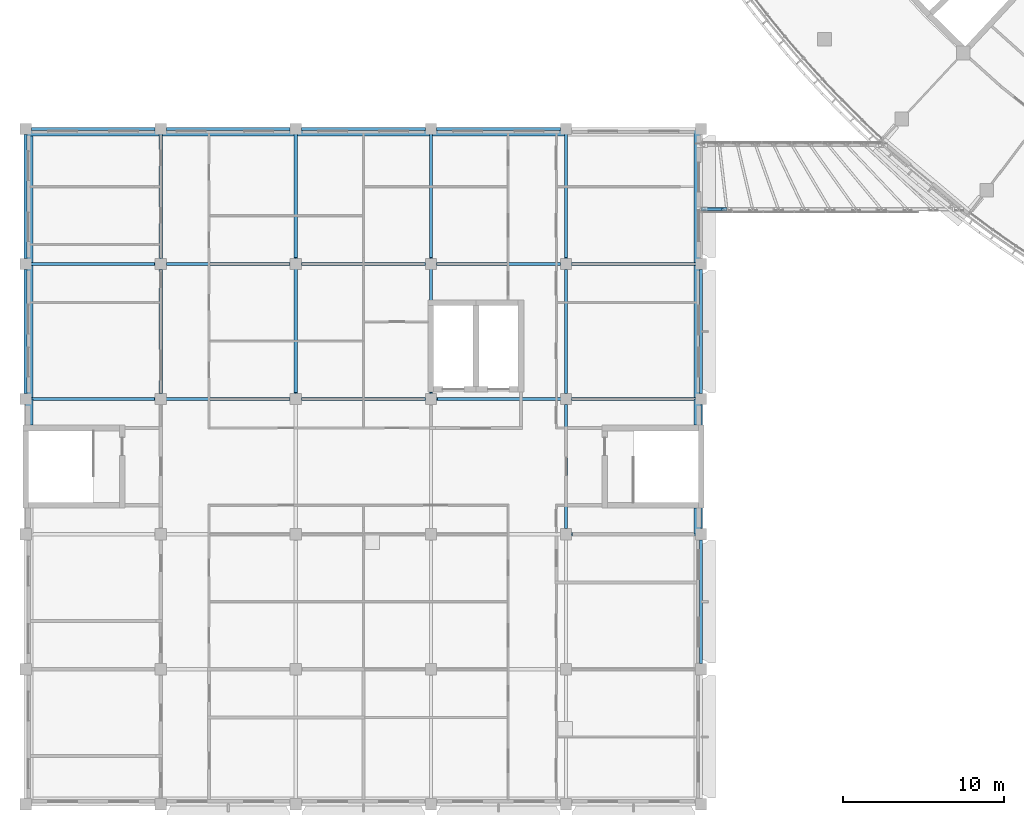
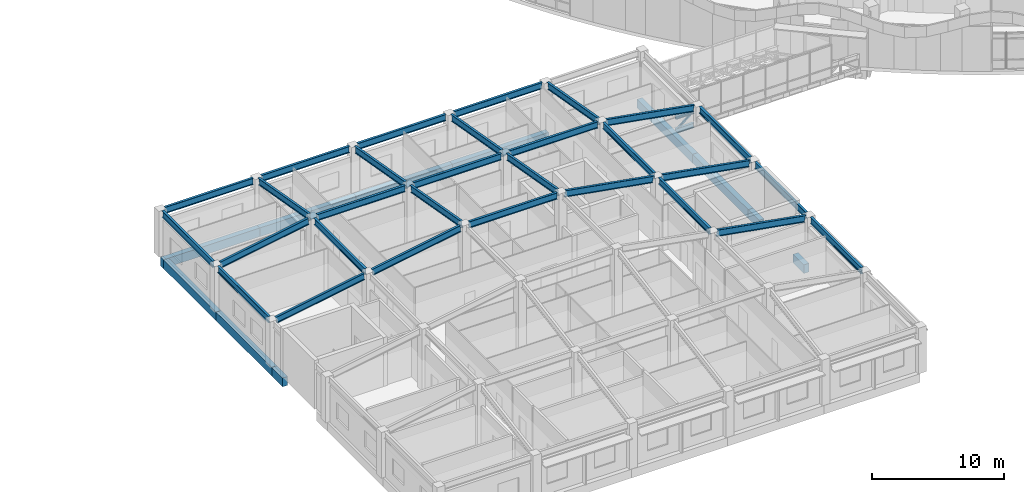
# One storey, part 3 of 136: 40 beams, 3 members.
"""IFC4 building model written with IfcOpenShell, lengths in metres."""

from ifc_helpers import new_model, si_unit, direction, frame, origin, origin_2d, place, context, subcontext, project, spatial, rectangle, hollow_rectangle, i_section, extrude, material, material_profile, profile_set, type_object, element, save


model = new_model("IFC4")

# Units and contexts
model_context = context("Model", 3, precision=1e-05, world=origin(), true_north=direction((0.0, 1.0)))
body_context = subcontext(model_context, "Body", "Model", "MODEL_VIEW")
ifc_project = project(units=[si_unit("LENGTHUNIT", "METRE"), si_unit("AREAUNIT", "SQUARE_METRE"), si_unit("VOLUMEUNIT", "CUBIC_METRE"), si_unit("PLANEANGLEUNIT", "RADIAN"), si_unit("MASSUNIT", "GRAM", prefix="KILO")], contexts=[model_context])

# Site, building, storey
site_placement = place(None, origin())
site = spatial("IfcSite", under=ifc_project, at=site_placement, CompositionType="ELEMENT")
building_placement = place(site_placement, origin())
building = spatial("IfcBuilding", under=site, at=building_placement, Name="Bougainvillea Quay General Hospital", CompositionType="ELEMENT")
storey_placement = place(building_placement, frame((0.0, 0.0, 5.39990234375)))
storey = spatial("IfcBuildingStorey", under=building, at=storey_placement, Name="L01", CompositionType="ELEMENT", Elevation=5.39990234375)

# Members
ifc_material_1 = material(Name="Steel Q355", Category="steel")
ifc_material_profile_1 = material_profile(ifc_material_1, i_section(OverallWidth=0.199951171875, OverallDepth=0.449951171875, WebThickness=0.009033203125, FlangeThickness=0.013916015625, FilletRadius=0.012939453125, at=origin_2d()))
ifc_profile_set_1 = profile_set([ifc_material_profile_1], Name="Steel Q355")
member_type_1 = type_object("IfcMemberType", Name="HN 450x200x9x14 Q355 CHORD", PredefinedType="CHORD", material=ifc_profile_set_1)
for number, where, z_axis, x_axis, name in (
    (1, (50.39990234375, 70.60009765625, -0.344970703125), (1.0, 0.0, 0.0), (0.0, 1.0, 0.0), "Bottom chord"),
    (2, (50.39990234375, 70.60009765625, 0.955078125), (1.0, 0.0, 0.0), (0.0, 1.0, 0.0), "Top chord"),
):
    element("IfcMember", number, at=place(storey_placement, frame(where, z_axis=z_axis, x_axis=x_axis)), inside=storey, type_object=member_type_1, Name=name, PredefinedType="CHORD", context=body_context, shape_type="SweptSolid", body=[
        extrude(i_section(OverallWidth=0.199951171875, OverallDepth=0.449951171875, WebThickness=0.009033203125, FlangeThickness=0.013916015625, FilletRadius=0.012939453125, at=origin_2d()), origin(), (0.0, 0.0, 1.0), 1.60205078125),
    ])

# Beams
ifc_material_profile_2 = material_profile(ifc_material_1, i_section(OverallWidth=0.199951171875, OverallDepth=0.60009765625, WebThickness=0.010986328125, FlangeThickness=0.01708984375, FilletRadius=0.012939453125, at=origin_2d()))
ifc_profile_set_2 = profile_set([ifc_material_profile_2], Name="Steel Q355")
beam_type_1 = type_object("IfcBeamType", Name="HN 600x200x11x17 Q355", PredefinedType="BEAM", material=ifc_profile_set_2)
for number, where, z_axis, x_axis, name in (
    (3, (42.35009765625, 50.39990234375, 5.324951171875), (0.984808696246, 0.0, -0.173642828239), (0.0, 1.0, 0.0), "Roof girder"),
    (4, (8.75, 58.800048828125, 3.96728515625), (0.984808696246, 0.0, 0.173642828239), (0.0, 1.0, 0.0), "Roof girder"),
):
    element("IfcBeam", number, at=place(storey_placement, frame(where, z_axis=z_axis, x_axis=x_axis)), inside=storey, type_object=beam_type_1, Name=name, PredefinedType="BEAM", context=body_context, shape_type="SweptSolid", body=[
        extrude(i_section(OverallWidth=0.199951171875, OverallDepth=0.60009765625, WebThickness=0.010986328125, FlangeThickness=0.01708984375, FilletRadius=0.012939453125, at=origin_2d()), origin(), (0.0, 0.0, 1.0), 7.81884765625),
    ])
beam_1_placement = place(storey_placement, frame((17.14990234375, 58.800048828125, 5.4482421875), z_axis=(0.984804297935, 0.0, 0.173667771246), x_axis=(0.0, 1.0, 0.0)))
element("IfcBeam", 5, at=beam_1_placement, inside=storey, type_object=beam_type_1, Name="Roof girder", PredefinedType="BEAM", context=body_context, shape_type="SweptSolid", body=[
    extrude(i_section(OverallWidth=0.199951171875, OverallDepth=0.60009765625, WebThickness=0.010986328125, FlangeThickness=0.01708984375, FilletRadius=0.012939453125, at=origin_2d()), origin(), (0.0, 0.0, 1.0), 7.819091796875),
])
beam_2_placement = place(storey_placement, frame((25.550048828125, 58.800048828125, 6.872314453125), z_axis=(1.0, 0.0, 0.0), x_axis=(0.0, 1.0, 0.0)))
element("IfcBeam", 6, at=beam_2_placement, inside=storey, type_object=beam_type_1, Name="Roof girder", PredefinedType="BEAM", context=body_context, shape_type="SweptSolid", body=[
    extrude(i_section(OverallWidth=0.199951171875, OverallDepth=0.60009765625, WebThickness=0.010986328125, FlangeThickness=0.01708984375, FilletRadius=0.012939453125, at=origin_2d()), origin(), (0.0, 0.0, 1.0), 7.699951171875),
])
for number, where, z_axis, x_axis, name in (
    (7, (33.949951171875, 58.800048828125, 6.80615234375), (0.98480335616, 0.0, -0.173673111607), (0.0, 1.0, 0.0), "Roof girder"),
    (8, (42.35009765625, 58.800048828125, 5.324951171875), (0.984808696246, 0.0, -0.173642828239), (0.0, 1.0, 0.0), "Roof girder"),
    (9, (8.75, 67.199951171875, 3.96728515625), (0.984808696246, 0.0, 0.173642828239), (0.0, 1.0, 0.0), "Roof girder"),
):
    element("IfcBeam", number, at=place(storey_placement, frame(where, z_axis=z_axis, x_axis=x_axis)), inside=storey, type_object=beam_type_1, Name=name, PredefinedType="BEAM", context=body_context, shape_type="SweptSolid", body=[
        extrude(i_section(OverallWidth=0.199951171875, OverallDepth=0.60009765625, WebThickness=0.010986328125, FlangeThickness=0.01708984375, FilletRadius=0.012939453125, at=origin_2d()), origin(), (0.0, 0.0, 1.0), 7.81884765625),
    ])
beam_3_placement = place(storey_placement, frame((17.14990234375, 67.199951171875, 5.391357421875), z_axis=(1.0, 0.0, 0.0), x_axis=(0.0, 1.0, 0.0)))
element("IfcBeam", 10, at=beam_3_placement, inside=storey, type_object=beam_type_1, Name="Roof girder", PredefinedType="BEAM", context=body_context, shape_type="SweptSolid", body=[
    extrude(i_section(OverallWidth=0.199951171875, OverallDepth=0.60009765625, WebThickness=0.010986328125, FlangeThickness=0.01708984375, FilletRadius=0.012939453125, at=origin_2d()), origin(), (0.0, 0.0, 1.0), 7.7001953125),
])
for number, where, z_axis, x_axis, name in (
    (11, (25.550048828125, 67.199951171875, 5.391357421875), (1.0, 0.0, 0.0), (0.0, 1.0, 0.0), "Roof girder"),
    (12, (33.949951171875, 67.199951171875, 5.391357421875), (1.0, 0.0, 0.0), (0.0, 1.0, 0.0), "Roof girder"),
):
    element("IfcBeam", number, at=place(storey_placement, frame(where, z_axis=z_axis, x_axis=x_axis)), inside=storey, type_object=beam_type_1, Name=name, PredefinedType="BEAM", context=body_context, shape_type="SweptSolid", body=[
        extrude(i_section(OverallWidth=0.199951171875, OverallDepth=0.60009765625, WebThickness=0.010986328125, FlangeThickness=0.01708984375, FilletRadius=0.012939453125, at=origin_2d()), origin(), (0.0, 0.0, 1.0), 7.699951171875),
    ])
beam_4_placement = place(storey_placement, frame((42.35009765625, 67.199951171875, 5.324951171875), z_axis=(0.984808696246, 0.0, -0.173642828239), x_axis=(0.0, 1.0, 0.0)))
element("IfcBeam", 13, at=beam_4_placement, inside=storey, type_object=beam_type_1, Name="Roof girder", PredefinedType="BEAM", context=body_context, shape_type="SweptSolid", body=[
    extrude(i_section(OverallWidth=0.199951171875, OverallDepth=0.60009765625, WebThickness=0.010986328125, FlangeThickness=0.01708984375, FilletRadius=0.012939453125, at=origin_2d()), origin(), (0.0, 0.0, 1.0), 7.81884765625),
])
beam_5_placement = place(storey_placement, frame((8.75, 75.60009765625, 3.91015625), z_axis=(1.0, 0.0, 0.0), x_axis=(0.0, 1.0, 0.0)))
element("IfcBeam", 14, at=beam_5_placement, inside=storey, type_object=beam_type_1, Name="Roof girder", PredefinedType="BEAM", context=body_context, shape_type="SweptSolid", body=[
    extrude(i_section(OverallWidth=0.199951171875, OverallDepth=0.60009765625, WebThickness=0.010986328125, FlangeThickness=0.01708984375, FilletRadius=0.012939453125, at=origin_2d()), origin(), (0.0, 0.0, 1.0), 7.699951171875),
])
beam_6_placement = place(storey_placement, frame((17.14990234375, 75.60009765625, 3.91015625), z_axis=(1.0, 0.0, 0.0), x_axis=(0.0, 1.0, 0.0)))
element("IfcBeam", 15, at=beam_6_placement, inside=storey, type_object=beam_type_1, Name="Roof girder", PredefinedType="BEAM", context=body_context, shape_type="SweptSolid", body=[
    extrude(i_section(OverallWidth=0.199951171875, OverallDepth=0.60009765625, WebThickness=0.010986328125, FlangeThickness=0.01708984375, FilletRadius=0.012939453125, at=origin_2d()), origin(), (0.0, 0.0, 1.0), 7.7001953125),
])
for number, where, z_axis, x_axis, name in (
    (16, (25.550048828125, 75.60009765625, 3.91015625), (1.0, 0.0, 0.0), (0.0, 1.0, 0.0), "Roof girder"),
    (17, (33.949951171875, 75.60009765625, 3.91015625), (1.0, 0.0, 0.0), (0.0, 1.0, 0.0), "Roof girder"),
):
    element("IfcBeam", number, at=place(storey_placement, frame(where, z_axis=z_axis, x_axis=x_axis)), inside=storey, type_object=beam_type_1, Name=name, PredefinedType="BEAM", context=body_context, shape_type="SweptSolid", body=[
        extrude(i_section(OverallWidth=0.199951171875, OverallDepth=0.60009765625, WebThickness=0.010986328125, FlangeThickness=0.01708984375, FilletRadius=0.012939453125, at=origin_2d()), origin(), (0.0, 0.0, 1.0), 7.699951171875),
    ])
beam_7_placement = place(storey_placement, frame((8.39990234375, 59.14990234375, 3.91015625), z_axis=(0.0, 1.0, 0.0), x_axis=(-1.0, 0.0, 0.0)))
element("IfcBeam", 18, at=beam_7_placement, inside=storey, type_object=beam_type_1, Name="Roof girder", PredefinedType="BEAM", context=body_context, shape_type="SweptSolid", body=[
    extrude(i_section(OverallWidth=0.199951171875, OverallDepth=0.60009765625, WebThickness=0.010986328125, FlangeThickness=0.01708984375, FilletRadius=0.012939453125, at=origin_2d()), origin(), (0.0, 0.0, 1.0), 7.7001953125),
])
beam_8_placement = place(storey_placement, frame((8.39990234375, 67.550048828125, 3.91015625), z_axis=(0.0, 1.0, 0.0), x_axis=(-1.0, 0.0, 0.0)))
element("IfcBeam", 19, at=beam_8_placement, inside=storey, type_object=beam_type_1, Name="Roof girder", PredefinedType="BEAM", context=body_context, shape_type="SweptSolid", body=[
    extrude(i_section(OverallWidth=0.199951171875, OverallDepth=0.60009765625, WebThickness=0.010986328125, FlangeThickness=0.01708984375, FilletRadius=0.012939453125, at=origin_2d()), origin(), (0.0, 0.0, 1.0), 7.699951171875),
])
beam_9_placement = place(storey_placement, frame((16.800048828125, 59.14990234375, 5.391357421875), z_axis=(0.0, 1.0, 0.0), x_axis=(-1.0, 0.0, 0.0)))
element("IfcBeam", 20, at=beam_9_placement, inside=storey, type_object=beam_type_1, Name="Roof girder", PredefinedType="BEAM", context=body_context, shape_type="SweptSolid", body=[
    extrude(i_section(OverallWidth=0.199951171875, OverallDepth=0.60009765625, WebThickness=0.010986328125, FlangeThickness=0.01708984375, FilletRadius=0.012939453125, at=origin_2d()), origin(), (0.0, 0.0, 1.0), 7.7001953125),
])
beam_10_placement = place(storey_placement, frame((16.800048828125, 67.550048828125, 5.324951171875), z_axis=(0.0, 0.984808696246, -0.173642828239), x_axis=(-1.0, 0.0, 0.0)))
element("IfcBeam", 21, at=beam_10_placement, inside=storey, type_object=beam_type_1, Name="Roof girder", PredefinedType="BEAM", context=body_context, shape_type="SweptSolid", body=[
    extrude(i_section(OverallWidth=0.199951171875, OverallDepth=0.60009765625, WebThickness=0.010986328125, FlangeThickness=0.01708984375, FilletRadius=0.012939453125, at=origin_2d()), origin(), (0.0, 0.0, 1.0), 7.81884765625),
])
beam_11_placement = place(storey_placement, frame((25.199951171875, 59.14990234375, 6.80615234375), z_axis=(0.0, 0.984804297935, -0.173667771246), x_axis=(-1.0, 0.0, 0.0)))
element("IfcBeam", 22, at=beam_11_placement, inside=storey, type_object=beam_type_1, Name="Roof girder", PredefinedType="BEAM", context=body_context, shape_type="SweptSolid", body=[
    extrude(i_section(OverallWidth=0.199951171875, OverallDepth=0.60009765625, WebThickness=0.010986328125, FlangeThickness=0.01708984375, FilletRadius=0.012939453125, at=origin_2d()), origin(), (0.0, 0.0, 1.0), 7.819091796875),
])
beam_12_placement = place(storey_placement, frame((25.199951171875, 67.550048828125, 5.324951171875), z_axis=(0.0, 0.984808696246, -0.173642828239), x_axis=(-1.0, 0.0, 0.0)))
element("IfcBeam", 23, at=beam_12_placement, inside=storey, type_object=beam_type_1, Name="Roof girder", PredefinedType="BEAM", context=body_context, shape_type="SweptSolid", body=[
    extrude(i_section(OverallWidth=0.199951171875, OverallDepth=0.60009765625, WebThickness=0.010986328125, FlangeThickness=0.01708984375, FilletRadius=0.012939453125, at=origin_2d()), origin(), (0.0, 0.0, 1.0), 7.81884765625),
])
beam_13_placement = place(storey_placement, frame((33.60009765625, 59.14990234375, 6.80615234375), z_axis=(0.0, 0.984804297935, -0.173667771246), x_axis=(-1.0, 0.0, 0.0)))
element("IfcBeam", 24, at=beam_13_placement, inside=storey, type_object=beam_type_1, Name="Roof girder", PredefinedType="BEAM", context=body_context, shape_type="SweptSolid", body=[
    extrude(i_section(OverallWidth=0.199951171875, OverallDepth=0.60009765625, WebThickness=0.010986328125, FlangeThickness=0.01708984375, FilletRadius=0.012939453125, at=origin_2d()), origin(), (0.0, 0.0, 1.0), 7.819091796875),
])
beam_14_placement = place(storey_placement, frame((33.60009765625, 67.550048828125, 5.324951171875), z_axis=(0.0, 0.984808696246, -0.173642828239), x_axis=(-1.0, 0.0, 0.0)))
element("IfcBeam", 25, at=beam_14_placement, inside=storey, type_object=beam_type_1, Name="Roof girder", PredefinedType="BEAM", context=body_context, shape_type="SweptSolid", body=[
    extrude(i_section(OverallWidth=0.199951171875, OverallDepth=0.60009765625, WebThickness=0.010986328125, FlangeThickness=0.01708984375, FilletRadius=0.012939453125, at=origin_2d()), origin(), (0.0, 0.0, 1.0), 7.81884765625),
])
beam_15_placement = place(storey_placement, frame((42.0, 50.75, 5.391357421875), z_axis=(0.0, 1.0, 0.0), x_axis=(-1.0, 0.0, 0.0)))
element("IfcBeam", 26, at=beam_15_placement, inside=storey, type_object=beam_type_1, Name="Roof girder", PredefinedType="BEAM", context=body_context, shape_type="SweptSolid", body=[
    extrude(i_section(OverallWidth=0.199951171875, OverallDepth=0.60009765625, WebThickness=0.010986328125, FlangeThickness=0.01708984375, FilletRadius=0.012939453125, at=origin_2d()), origin(), (0.0, 0.0, 1.0), 7.699951171875),
])
beam_16_placement = place(storey_placement, frame((42.0, 59.14990234375, 5.391357421875), z_axis=(0.0, 1.0, 0.0), x_axis=(-1.0, 0.0, 0.0)))
element("IfcBeam", 27, at=beam_16_placement, inside=storey, type_object=beam_type_1, Name="Roof girder", PredefinedType="BEAM", context=body_context, shape_type="SweptSolid", body=[
    extrude(i_section(OverallWidth=0.199951171875, OverallDepth=0.60009765625, WebThickness=0.010986328125, FlangeThickness=0.01708984375, FilletRadius=0.012939453125, at=origin_2d()), origin(), (0.0, 0.0, 1.0), 7.7001953125),
])
beam_17_placement = place(storey_placement, frame((42.0, 67.550048828125, 5.324951171875), z_axis=(0.0, 0.984808696246, -0.173642828239), x_axis=(-1.0, 0.0, 0.0)))
element("IfcBeam", 28, at=beam_17_placement, inside=storey, type_object=beam_type_1, Name="Roof girder", PredefinedType="BEAM", context=body_context, shape_type="SweptSolid", body=[
    extrude(i_section(OverallWidth=0.199951171875, OverallDepth=0.60009765625, WebThickness=0.010986328125, FlangeThickness=0.01708984375, FilletRadius=0.012939453125, at=origin_2d()), origin(), (0.0, 0.0, 1.0), 7.81884765625),
])
for number, where, z_axis, x_axis, name in (
    (29, (50.39990234375, 42.35009765625, 3.91015625), (0.0, 1.0, 0.0), (-1.0, 0.0, 0.0), "Roof girder"),
    (30, (50.39990234375, 50.75, 3.91015625), (0.0, 1.0, 0.0), (-1.0, 0.0, 0.0), "Roof girder"),
):
    element("IfcBeam", number, at=place(storey_placement, frame(where, z_axis=z_axis, x_axis=x_axis)), inside=storey, type_object=beam_type_1, Name=name, PredefinedType="BEAM", context=body_context, shape_type="SweptSolid", body=[
        extrude(i_section(OverallWidth=0.199951171875, OverallDepth=0.60009765625, WebThickness=0.010986328125, FlangeThickness=0.01708984375, FilletRadius=0.012939453125, at=origin_2d()), origin(), (0.0, 0.0, 1.0), 7.699951171875),
    ])
beam_18_placement = place(storey_placement, frame((50.39990234375, 59.14990234375, 3.91015625), z_axis=(0.0, 1.0, 0.0), x_axis=(-1.0, 0.0, 0.0)))
element("IfcBeam", 31, at=beam_18_placement, inside=storey, type_object=beam_type_1, Name="Roof girder", PredefinedType="BEAM", context=body_context, shape_type="SweptSolid", body=[
    extrude(i_section(OverallWidth=0.199951171875, OverallDepth=0.60009765625, WebThickness=0.010986328125, FlangeThickness=0.01708984375, FilletRadius=0.012939453125, at=origin_2d()), origin(), (0.0, 0.0, 1.0), 7.7001953125),
])
ifc_material_2 = material(Name="Concrete C40", Category="concrete")
ifc_material_profile_3 = material_profile(ifc_material_2, rectangle(XDim=0.449951171875, YDim=0.800048828125, at=origin_2d()))
ifc_profile_set_3 = profile_set([ifc_material_profile_3], Name="Concrete C40")
beam_type_2 = type_object("IfcBeamType", Name="RC BEAM 450x800 C40", PredefinedType="BEAM", material=ifc_profile_set_3)
beam_19_placement = place(storey_placement, frame((42.0, 75.375, -0.699951171875), z_axis=(-1.0, 0.0, 0.0), x_axis=(0.0, -1.0, 0.0)))
element("IfcBeam", 32, at=beam_19_placement, inside=storey, type_object=beam_type_2, Name="Edge beam L01", PredefinedType="BEAM", context=body_context, shape_type="SweptSolid", body=[
    extrude(rectangle(XDim=0.449951171875, YDim=0.800048828125, at=origin_2d()), origin(), (0.0, 0.0, 1.0), 8.39990234375),
])
beam_20_placement = place(storey_placement, frame((33.60009765625, 75.375, -0.699951171875), z_axis=(-1.0, 0.0, 0.0), x_axis=(0.0, -1.0, 0.0)))
element("IfcBeam", 33, at=beam_20_placement, inside=storey, type_object=beam_type_2, Name="Edge beam L01", PredefinedType="BEAM", context=body_context, shape_type="SweptSolid", body=[
    extrude(rectangle(XDim=0.449951171875, YDim=0.800048828125, at=origin_2d()), origin(), (0.0, 0.0, 1.0), 8.400146484375),
])
beam_21_placement = place(storey_placement, frame((25.199951171875, 75.375, -0.699951171875), z_axis=(-1.0, 0.0, 0.0), x_axis=(0.0, -1.0, 0.0)))
element("IfcBeam", 34, at=beam_21_placement, inside=storey, type_object=beam_type_2, Name="Edge beam L01", PredefinedType="BEAM", context=body_context, shape_type="SweptSolid", body=[
    extrude(rectangle(XDim=0.449951171875, YDim=0.800048828125, at=origin_2d()), origin(), (0.0, 0.0, 1.0), 8.39990234375),
])
for number, where, z_axis, x_axis, name in (
    (35, (16.800048828125, 75.375, -0.699951171875), (-1.0, 0.0, 0.0), (0.0, -1.0, 0.0), "Edge beam L01"),
    (36, (8.625, 75.60009765625, -0.699951171875), (0.0, -1.0, 0.0), (1.0, 0.0, 0.0), "Edge beam L01"),
):
    element("IfcBeam", number, at=place(storey_placement, frame(where, z_axis=z_axis, x_axis=x_axis)), inside=storey, type_object=beam_type_2, Name=name, PredefinedType="BEAM", context=body_context, shape_type="SweptSolid", body=[
        extrude(rectangle(XDim=0.449951171875, YDim=0.800048828125, at=origin_2d()), origin(), (0.0, 0.0, 1.0), 8.400146484375),
    ])
beam_22_placement = place(storey_placement, frame((8.625, 67.199951171875, -0.699951171875), z_axis=(0.0, -1.0, 0.0), x_axis=(1.0, 0.0, 0.0)))
element("IfcBeam", 37, at=beam_22_placement, inside=storey, type_object=beam_type_2, Name="Edge beam L01", PredefinedType="BEAM", context=body_context, shape_type="SweptSolid", body=[
    extrude(rectangle(XDim=0.449951171875, YDim=0.800048828125, at=origin_2d()), origin(), (0.0, 0.0, 1.0), 8.39990234375),
])
for number, where, z_axis, x_axis, name in (
    (38, (8.625, 58.800048828125, -0.699951171875), (0.0, -1.0, 0.0), (1.0, 0.0, 0.0), "Edge beam L01"),
    (39, (50.175048828125, 50.39990234375, -0.699951171875), (0.0, 1.0, 0.0), (-1.0, 0.0, 0.0), "Edge beam L01"),
    (40, (50.175048828125, 57.175048828125, -0.699951171875), (0.0, 1.0, 0.0), (-1.0, 0.0, 0.0), "Edge beam L01"),
):
    element("IfcBeam", number, at=place(storey_placement, frame(where, z_axis=z_axis, x_axis=x_axis)), inside=storey, type_object=beam_type_2, Name=name, PredefinedType="BEAM", context=body_context, shape_type="SweptSolid", body=[
        extrude(rectangle(XDim=0.449951171875, YDim=0.800048828125, at=origin_2d()), origin(), (0.0, 0.0, 1.0), 1.625),
    ])
beam_23_placement = place(storey_placement, frame((50.175048828125, 58.800048828125, -0.699951171875), z_axis=(0.0, 1.0, 0.0), x_axis=(-1.0, 0.0, 0.0)))
element("IfcBeam", 41, at=beam_23_placement, inside=storey, type_object=beam_type_2, Name="Edge beam L01", PredefinedType="BEAM", context=body_context, shape_type="SweptSolid", body=[
    extrude(rectangle(XDim=0.449951171875, YDim=0.800048828125, at=origin_2d()), origin(), (0.0, 0.0, 1.0), 8.39990234375),
])
beam_24_placement = place(storey_placement, frame((50.175048828125, 67.199951171875, -0.699951171875), z_axis=(0.0, 1.0, 0.0), x_axis=(-1.0, 0.0, 0.0)))
element("IfcBeam", 42, at=beam_24_placement, inside=storey, type_object=beam_type_2, Name="Edge beam L01", PredefinedType="BEAM", context=body_context, shape_type="SweptSolid", body=[
    extrude(rectangle(XDim=0.449951171875, YDim=0.800048828125, at=origin_2d()), origin(), (0.0, 0.0, 1.0), 8.400146484375),
])

# Member
ifc_material_profile_4 = material_profile(ifc_material_1, hollow_rectangle(XDim=0.14990234375, YDim=0.14990234375, WallThickness=0.008056640625, InnerFilletRadius=0.008056640625, OuterFilletRadius=0.01611328125, at=origin_2d()))
ifc_profile_set_4 = profile_set([ifc_material_profile_4], Name="Steel Q355")
member_type_2 = type_object("IfcMemberType", Name="SHS 150x150x8 Q355 BRACE", PredefinedType="BRACE", material=ifc_profile_set_4)
member_placement = place(storey_placement, frame((50.67724609375, 70.60009765625, -0.119873046875), z_axis=(0.776523552824, 0.0, 0.630088225497), x_axis=(0.0, 1.0, 0.0)))
element("IfcMember", 43, at=member_placement, inside=storey, type_object=member_type_2, Name="Truss diagonal", PredefinedType="BRACE", context=body_context, shape_type="SweptSolid", body=[
    extrude(hollow_rectangle(XDim=0.14990234375, YDim=0.14990234375, WallThickness=0.008056640625, InnerFilletRadius=0.008056640625, OuterFilletRadius=0.01611328125, at=origin_2d()), origin(), (0.0, 0.0, 1.0), 1.348876953125),
])

save(model, "model.ifc")
